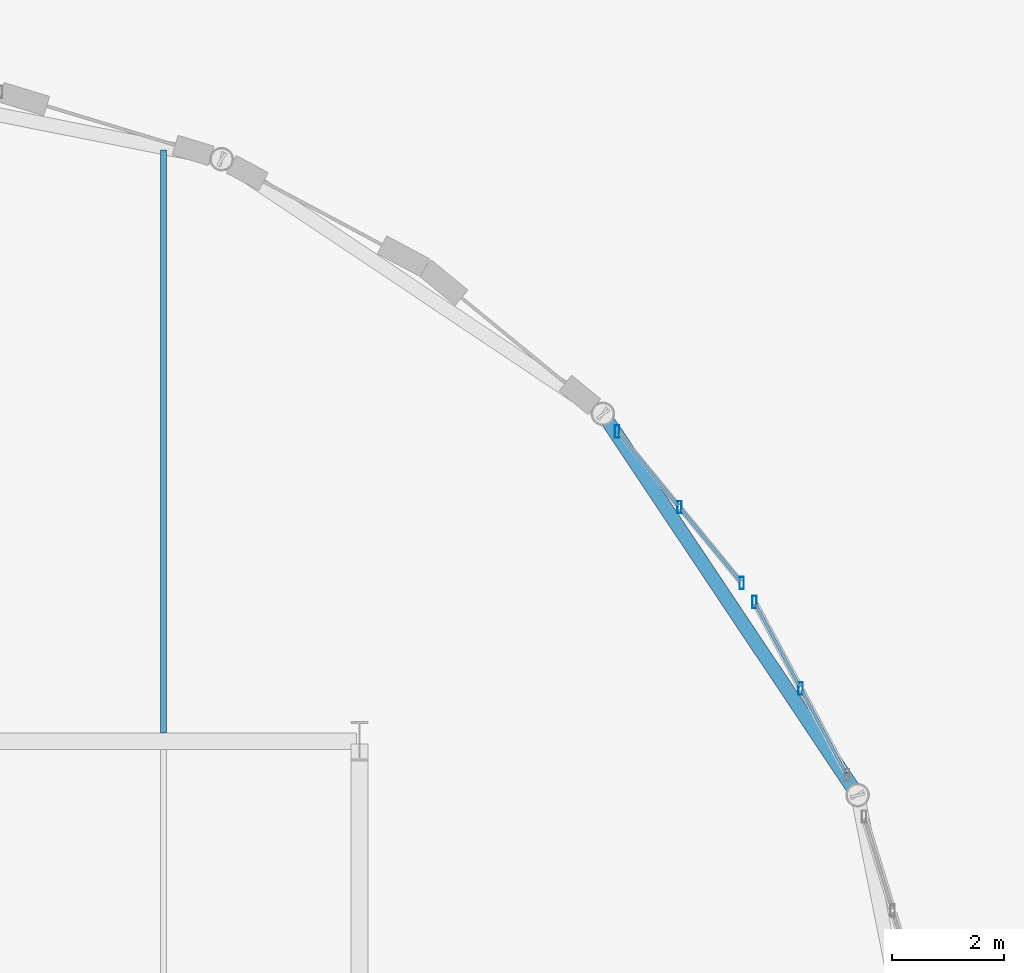
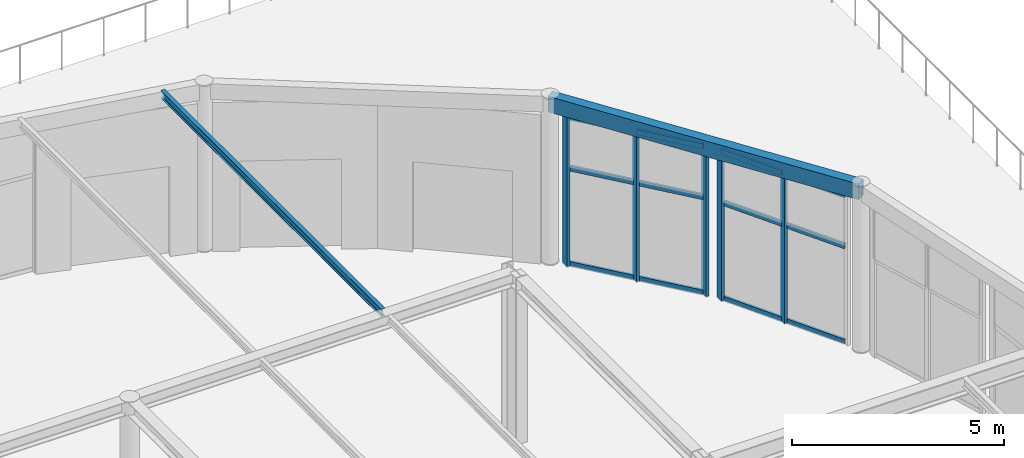
# One storey, part 47 of 143: 17 members, 2 beams, 2 elements without a shape of their own.
"""IFC4 building model written with IfcOpenShell, lengths in metres."""

from ifc_helpers import new_model, si_unit, direction, frame, origin, origin_2d, place, context, subcontext, project, spatial, hollow_rectangle, i_section, extrude, material, layer, layer_set, material_profile, profile_set, type_object, element, aggregate, save


model = new_model("IFC4")

# Units and contexts
model_context = context("Model", 3, precision=1e-05, world=origin(), true_north=direction((0.0, 1.0)))
body_context = subcontext(model_context, "Body", "Model", "MODEL_VIEW")
ifc_project = project(units=[si_unit("LENGTHUNIT", "METRE"), si_unit("AREAUNIT", "SQUARE_METRE"), si_unit("VOLUMEUNIT", "CUBIC_METRE"), si_unit("PLANEANGLEUNIT", "RADIAN"), si_unit("MASSUNIT", "GRAM", prefix="KILO")], contexts=[model_context])

# Site, building, storey
site_placement = place(None, origin())
site = spatial("IfcSite", under=ifc_project, at=site_placement, CompositionType="ELEMENT")
building_placement = place(site_placement, origin())
building = spatial("IfcBuilding", under=site, at=building_placement, Name="Marlcrest Central Station", CompositionType="ELEMENT")
storey_placement = place(building_placement, frame((0.0, 0.0, 4.800048828125)))
storey = spatial("IfcBuildingStorey", under=building, at=storey_placement, Name="L01", CompositionType="ELEMENT", Elevation=4.800048828125)

# Beam
ifc_material_1 = material(Name="Steel S355", Category="steel")
ifc_material_profile_1 = material_profile(ifc_material_1, i_section(OverallWidth=0.110107421875, OverallDepth=0.219970703125, WebThickness=0.005859375, FlangeThickness=0.00927734375, FilletRadius=0.011962890625, at=origin_2d()), Name="IPE 220")
ifc_profile_set_1 = profile_set([ifc_material_profile_1], Name="Steel S355")
beam_type_1 = type_object("IfcBeamType", Name="JS-02", PredefinedType="JOIST", material=ifc_profile_set_1)
beam_1_placement = place(storey_placement, frame((115.0, 119.64794921875, 4.704833984375), z_axis=(0.0, 1.0, 0.0), x_axis=(-1.0, 0.0, 0.0)))
element("IfcBeam", 1, at=beam_1_placement, inside=storey, type_object=beam_type_1, Name="bm-JS-02-L01-01475", PredefinedType="JOIST", context=body_context, shape_type="SweptSolid", body=[
    extrude(i_section(OverallWidth=0.110107421875, OverallDepth=0.219970703125, WebThickness=0.005859375, FlangeThickness=0.00927734375, FilletRadius=0.011962890625, at=origin_2d()), origin(), (0.0, 0.0, 1.0), 10.419189453125),
])

# Curtain wall, members
ifc_material_2 = material(Name="Anodised aluminium and hurricane laminated glass", Category="aluminium")
ifc_layer = layer(ifc_material_2, 0.219970703125, Name="CW-U1")
ifc_layer_set = layer_set([ifc_layer], Name="Anodised aluminium and hurricane laminated glass")
curtain_wall_type = type_object("IfcCurtainWallType", Name="CW-U1", PredefinedType="USERDEFINED", material=ifc_layer_set)
curtain_wall_1_placement = place(storey_placement, origin())
curtain_wall_1 = element("IfcCurtainWall", 2, at=curtain_wall_1_placement, inside=storey, type_object=curtain_wall_type, Name="cw-L01-0063", ObjectType="UNITISED_CURTAIN_WALL", PredefinedType="USERDEFINED")
ifc_material_3 = material(Name="Anodised aluminium 6063-T6", Category="aluminium")
ifc_material_profile_2 = material_profile(ifc_material_3, hollow_rectangle(XDim=0.080078125, YDim=0.219970703125, WallThickness=0.006103515625, at=origin_2d()), Name="AA-RHS 220x80x6")
ifc_profile_set_2 = profile_set([ifc_material_profile_2], Name="Anodised aluminium 6063-T6")
member_type_1 = type_object("IfcMemberType", Name="ML-01", PredefinedType="MULLION", material=ifc_profile_set_2)
member_1_placement = place(storey_placement, frame((123.10546875, 125.03662109375, -0.030029296875), z_axis=(0.0, 0.0, 1.0), x_axis=(1.0, 0.0, 0.0)))
member_1 = element("IfcMember", 3, at=member_1_placement, type_object=member_type_1, Name="cw-L01-0063-ml-0", PredefinedType="MULLION", context=body_context, shape_type="SweptSolid", body=[
    extrude(hollow_rectangle(XDim=0.080078125, YDim=0.219970703125, WallThickness=0.006103515625, at=origin_2d()), origin(), (0.0, 0.0, 1.0), 4.35986328125),
])
member_2_placement = place(storey_placement, frame((124.218017578125, 123.681396484375, -0.030029296875), z_axis=(0.0, 0.0, 1.0), x_axis=(1.0, 0.0, 0.0)))
member_2 = element("IfcMember", 4, at=member_2_placement, type_object=member_type_1, Name="cw-L01-0063-ml-1", PredefinedType="MULLION", context=body_context, shape_type="SweptSolid", body=[
    extrude(hollow_rectangle(XDim=0.080078125, YDim=0.219970703125, WallThickness=0.006103515625, at=origin_2d()), origin(), (0.0, 0.0, 1.0), 4.35986328125),
])
member_3_placement = place(storey_placement, frame((125.330322265625, 122.326171875, -0.030029296875), z_axis=(0.0, 0.0, 1.0), x_axis=(1.0, 0.0, 0.0)))
member_3 = element("IfcMember", 5, at=member_3_placement, type_object=member_type_1, Name="cw-L01-0063-ml-2", PredefinedType="MULLION", context=body_context, shape_type="SweptSolid", body=[
    extrude(hollow_rectangle(XDim=0.080078125, YDim=0.219970703125, WallThickness=0.006103515625, at=origin_2d()), origin(), (0.0, 0.0, 1.0), 4.35986328125),
])

curtain_wall_2_placement = place(storey_placement, origin())
curtain_wall_2 = element("IfcCurtainWall", 6, at=curtain_wall_2_placement, inside=storey, type_object=curtain_wall_type, Name="cw-L01-0064", ObjectType="UNITISED_CURTAIN_WALL", PredefinedType="USERDEFINED")
member_4_placement = place(storey_placement, frame((125.55810546875, 121.985595703125, -0.030029296875), z_axis=(0.0, 0.0, 1.0), x_axis=(1.0, 0.0, 0.0)))
member_4 = element("IfcMember", 7, at=member_4_placement, type_object=member_type_1, Name="cw-L01-0064-ml-0", PredefinedType="MULLION", context=body_context, shape_type="SweptSolid", body=[
    extrude(hollow_rectangle(XDim=0.080078125, YDim=0.219970703125, WallThickness=0.006103515625, at=origin_2d()), origin(), (0.0, 0.0, 1.0), 4.35986328125),
])
member_5_placement = place(storey_placement, frame((126.38427734375, 120.43896484375, -0.030029296875), z_axis=(0.0, 0.0, 1.0), x_axis=(1.0, 0.0, 0.0)))
member_5 = element("IfcMember", 8, at=member_5_placement, type_object=member_type_1, Name="cw-L01-0064-ml-1", PredefinedType="MULLION", context=body_context, shape_type="SweptSolid", body=[
    extrude(hollow_rectangle(XDim=0.080078125, YDim=0.219970703125, WallThickness=0.006103515625, at=origin_2d()), origin(), (0.0, 0.0, 1.0), 4.35986328125),
])

# Beam
ifc_material_profile_3 = material_profile(ifc_material_1, hollow_rectangle(XDim=0.25, YDim=0.449951171875, WallThickness=0.01611328125, at=origin_2d()), Name="RHS 450x250x16")
ifc_profile_set_3 = profile_set([ifc_material_profile_3], Name="Steel S355")
beam_type_2 = type_object("IfcBeamType", Name="SP-02", PredefinedType="SPANDREL", material=ifc_profile_set_3)
beam_2_placement = place(storey_placement, frame((122.84912109375, 125.34912109375, 4.58984375), z_axis=(0.55551129271, -0.831508991937, 0.0), x_axis=(0.831508991937, 0.55551129271, 0.0)))
element("IfcBeam", 9, at=beam_2_placement, inside=storey, type_object=beam_type_2, Name="bm-SP-02-L01-01464", PredefinedType="SPANDREL", context=body_context, shape_type="SweptSolid", body=[
    extrude(hollow_rectangle(XDim=0.25, YDim=0.449951171875, WallThickness=0.01611328125, at=origin_2d()), origin(), (0.0, 0.0, 1.0), 8.19384765625),
])

# Member
ifc_material_profile_4 = material_profile(ifc_material_3, hollow_rectangle(XDim=0.06005859375, YDim=0.14990234375, WallThickness=0.00390625, at=origin_2d()), Name="AA-RHS 150x60x4")
ifc_profile_set_4 = profile_set([ifc_material_profile_4], Name="Anodised aluminium 6063-T6")
member_type_2 = type_object("IfcMemberType", Name="TR-01", PredefinedType="USERDEFINED", material=ifc_profile_set_4)
member_6_placement = place(storey_placement, frame((123.12939453125, 125.00732421875, 0.0400390625), z_axis=(0.634512842936, -0.772912318539, 0.0), x_axis=(0.772912318539, 0.634512842936, 0.0)))
member_6 = element("IfcMember", 10, at=member_6_placement, type_object=member_type_2, Name="cw-L01-0063-tr-0-sill", ObjectType="TRANSOM", PredefinedType="USERDEFINED", context=body_context, shape_type="SweptSolid", body=[
    extrude(hollow_rectangle(XDim=0.06005859375, YDim=0.14990234375, WallThickness=0.00390625, at=origin_2d()), origin(), (0.0, 0.0, 1.0), 1.677490234375),
])

member_7_placement = place(storey_placement, frame((123.12939453125, 125.00732421875, 2.794921875), z_axis=(0.634512842936, -0.772912318539, 0.0), x_axis=(0.772912318539, 0.634512842936, 0.0)))
member_7 = element("IfcMember", 11, at=member_7_placement, type_object=member_type_2, Name="cw-L01-0063-tr-0-mid", ObjectType="TRANSOM", PredefinedType="USERDEFINED", context=body_context, shape_type="SweptSolid", body=[
    extrude(hollow_rectangle(XDim=0.06005859375, YDim=0.14990234375, WallThickness=0.00390625, at=origin_2d()), origin(), (0.0, 0.0, 1.0), 1.677490234375),
])

member_8_placement = place(storey_placement, frame((123.12939453125, 125.00732421875, 4.260009765625), z_axis=(0.634512842936, -0.772912318539, 0.0), x_axis=(0.772912318539, 0.634512842936, 0.0)))
member_8 = element("IfcMember", 12, at=member_8_placement, type_object=member_type_2, Name="cw-L01-0063-tr-0-head", ObjectType="TRANSOM", PredefinedType="USERDEFINED", context=body_context, shape_type="SweptSolid", body=[
    extrude(hollow_rectangle(XDim=0.06005859375, YDim=0.14990234375, WallThickness=0.00390625, at=origin_2d()), origin(), (0.0, 0.0, 1.0), 1.677490234375),
])

member_9_placement = place(storey_placement, frame((124.241943359375, 123.652099609375, 0.0400390625), z_axis=(0.634512842936, -0.772912318539, 0.0), x_axis=(0.772912318539, 0.634512842936, 0.0)))
member_9 = element("IfcMember", 13, at=member_9_placement, type_object=member_type_2, Name="cw-L01-0063-tr-1-sill", ObjectType="TRANSOM", PredefinedType="USERDEFINED", context=body_context, shape_type="SweptSolid", body=[
    extrude(hollow_rectangle(XDim=0.06005859375, YDim=0.14990234375, WallThickness=0.00390625, at=origin_2d()), origin(), (0.0, 0.0, 1.0), 1.677490234375),
])

member_10_placement = place(storey_placement, frame((124.241943359375, 123.652099609375, 2.794921875), z_axis=(0.634512842936, -0.772912318539, 0.0), x_axis=(0.772912318539, 0.634512842936, 0.0)))
member_10 = element("IfcMember", 14, at=member_10_placement, type_object=member_type_2, Name="cw-L01-0063-tr-1-mid", ObjectType="TRANSOM", PredefinedType="USERDEFINED", context=body_context, shape_type="SweptSolid", body=[
    extrude(hollow_rectangle(XDim=0.06005859375, YDim=0.14990234375, WallThickness=0.00390625, at=origin_2d()), origin(), (0.0, 0.0, 1.0), 1.677490234375),
])

member_11_placement = place(storey_placement, frame((124.241943359375, 123.652099609375, 4.260009765625), z_axis=(0.634512842936, -0.772912318539, 0.0), x_axis=(0.772912318539, 0.634512842936, 0.0)))
member_11 = element("IfcMember", 15, at=member_11_placement, type_object=member_type_2, Name="cw-L01-0063-tr-1-head", ObjectType="TRANSOM", PredefinedType="USERDEFINED", context=body_context, shape_type="SweptSolid", body=[
    extrude(hollow_rectangle(XDim=0.06005859375, YDim=0.14990234375, WallThickness=0.00390625, at=origin_2d()), origin(), (0.0, 0.0, 1.0), 1.677490234375),
])

aggregate(curtain_wall_1, [member_1, member_2, member_3, member_6, member_7, member_8, member_9, member_10, member_11])

member_12_placement = place(storey_placement, frame((125.575927734375, 121.951904296875, 0.0400390625), z_axis=(0.47126796736, -0.881990080976, 0.0), x_axis=(0.881990080976, 0.47126796736, 0.0)))
member_12 = element("IfcMember", 16, at=member_12_placement, type_object=member_type_2, Name="cw-L01-0064-tr-0-sill", ObjectType="TRANSOM", PredefinedType="USERDEFINED", context=body_context, shape_type="SweptSolid", body=[
    extrude(hollow_rectangle(XDim=0.06005859375, YDim=0.14990234375, WallThickness=0.00390625, at=origin_2d()), origin(), (0.0, 0.0, 1.0), 1.677490234375),
])

member_13_placement = place(storey_placement, frame((125.575927734375, 121.951904296875, 2.794921875), z_axis=(0.47126796736, -0.881990080976, 0.0), x_axis=(0.881990080976, 0.47126796736, 0.0)))
member_13 = element("IfcMember", 17, at=member_13_placement, type_object=member_type_2, Name="cw-L01-0064-tr-0-mid", ObjectType="TRANSOM", PredefinedType="USERDEFINED", context=body_context, shape_type="SweptSolid", body=[
    extrude(hollow_rectangle(XDim=0.06005859375, YDim=0.14990234375, WallThickness=0.00390625, at=origin_2d()), origin(), (0.0, 0.0, 1.0), 1.677490234375),
])

member_14_placement = place(storey_placement, frame((125.575927734375, 121.951904296875, 4.260009765625), z_axis=(0.47126796736, -0.881990080976, 0.0), x_axis=(0.881990080976, 0.47126796736, 0.0)))
member_14 = element("IfcMember", 18, at=member_14_placement, type_object=member_type_2, Name="cw-L01-0064-tr-0-head", ObjectType="TRANSOM", PredefinedType="USERDEFINED", context=body_context, shape_type="SweptSolid", body=[
    extrude(hollow_rectangle(XDim=0.06005859375, YDim=0.14990234375, WallThickness=0.00390625, at=origin_2d()), origin(), (0.0, 0.0, 1.0), 1.677490234375),
])

member_15_placement = place(storey_placement, frame((126.402099609375, 120.405517578125, 0.0400390625), z_axis=(0.471207478568, -0.882022398889, 0.0), x_axis=(0.882022398889, 0.471207478568, 0.0)))
member_15 = element("IfcMember", 19, at=member_15_placement, type_object=member_type_2, Name="cw-L01-0064-tr-1-sill", ObjectType="TRANSOM", PredefinedType="USERDEFINED", context=body_context, shape_type="SweptSolid", body=[
    extrude(hollow_rectangle(XDim=0.06005859375, YDim=0.14990234375, WallThickness=0.00390625, at=origin_2d()), origin(), (0.0, 0.0, 1.0), 1.677734375),
])

member_16_placement = place(storey_placement, frame((126.402099609375, 120.405517578125, 2.794921875), z_axis=(0.471207478568, -0.882022398889, 0.0), x_axis=(0.882022398889, 0.471207478568, 0.0)))
member_16 = element("IfcMember", 20, at=member_16_placement, type_object=member_type_2, Name="cw-L01-0064-tr-1-mid", ObjectType="TRANSOM", PredefinedType="USERDEFINED", context=body_context, shape_type="SweptSolid", body=[
    extrude(hollow_rectangle(XDim=0.06005859375, YDim=0.14990234375, WallThickness=0.00390625, at=origin_2d()), origin(), (0.0, 0.0, 1.0), 1.677734375),
])

member_17_placement = place(storey_placement, frame((126.402099609375, 120.405517578125, 4.260009765625), z_axis=(0.471207478568, -0.882022398889, 0.0), x_axis=(0.882022398889, 0.471207478568, 0.0)))
member_17 = element("IfcMember", 21, at=member_17_placement, type_object=member_type_2, Name="cw-L01-0064-tr-1-head", ObjectType="TRANSOM", PredefinedType="USERDEFINED", context=body_context, shape_type="SweptSolid", body=[
    extrude(hollow_rectangle(XDim=0.06005859375, YDim=0.14990234375, WallThickness=0.00390625, at=origin_2d()), origin(), (0.0, 0.0, 1.0), 1.677734375),
])

aggregate(curtain_wall_2, [member_4, member_5, member_12, member_13, member_14, member_15, member_16, member_17])

save(model, "model.ifc")
